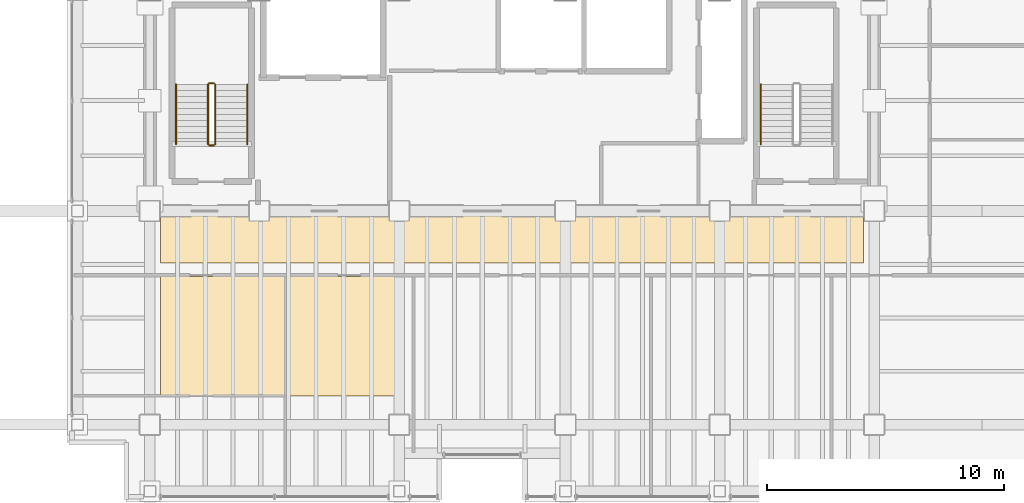
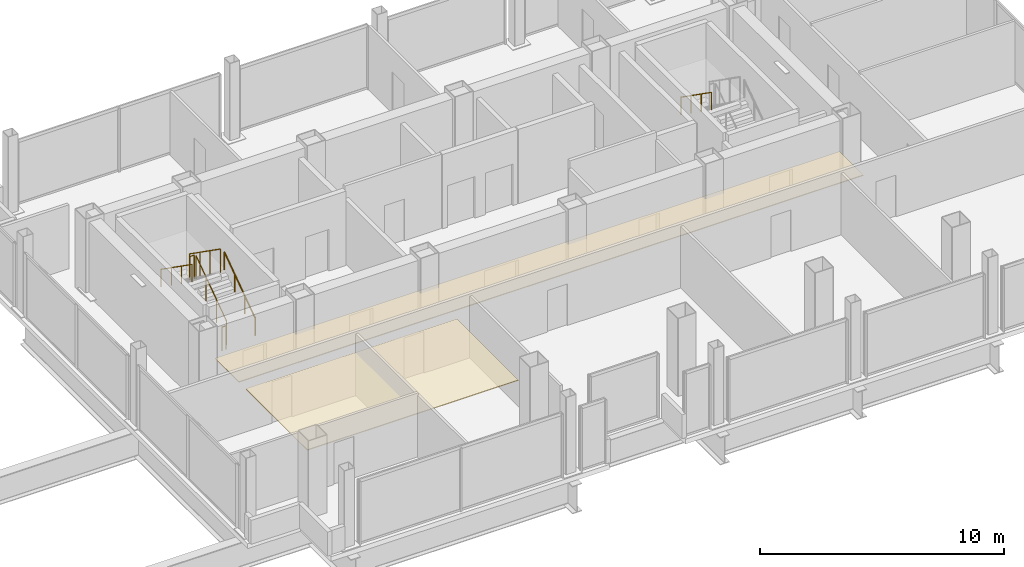
# One storey, part 18 of 19: 7 railings, 2 coverings.
"""IFC4 building model written with IfcOpenShell, lengths in metres."""

import ifcopenshell
import ifcopenshell.guid

model = None  # the IFC model being written
_history = None  # IfcOwnerHistory: only IFC2X3 demands one
_inside = {}  # id of a spatial element -> (the spatial element, [elements in it])
_under = {}  # id of a project, library or spatial element -> (it, [spatial elements below it])
_declared = {}  # id of a project -> (the project, [libraries it declares])
_typed = {}  # id of a type object -> (the type object, [elements of that type])
_made_of = {}  # id of a material, layer set ... -> (it, [elements and type objects made of it])


def new_model(schema):
    """Start an empty IFC model of exactly this schema.

    Asked for "IFC4X3", IfcOpenShell would pick the latest addendum, in which some entities
    have other attributes; the version numbers below select the first issue.
    IFC2X3 requires an IfcOwnerHistory on every rooted entity: one is made here for all.
    """
    global model, _history
    if schema == "IFC4X3":
        model = ifcopenshell.file(schema_version=(4, 3, 0, 0))
    else:
        model = ifcopenshell.file(schema=schema)
    _inside.clear()
    _under.clear()
    _declared.clear()
    _typed.clear()
    _made_of.clear()
    _history = None
    if model.schema == "IFC2X3":
        org = make("IfcOrganization", Name="unknown")
        user = make(
            "IfcPersonAndOrganization",
            ThePerson=make("IfcPerson", FamilyName="unknown"),
            TheOrganization=org,
        )
        app = make(
            "IfcApplication",
            ApplicationDeveloper=org,
            Version="unknown",
            ApplicationFullName="unknown",
            ApplicationIdentifier="unknown",
        )
        _history = make(
            "IfcOwnerHistory",
            OwningUser=user,
            OwningApplication=app,
            ChangeAction="ADDED",
            CreationDate=0,
        )
    return model


def make(cls, **values):
    """One entity of the class cls with the attributes given. An attribute that is None is left unset."""
    return model.create_entity(
        cls, **{name: value for name, value in values.items() if value is not None}
    )


def rooted(cls, **values):
    """An entity with a GlobalId (a new one), such as an element, a storey or a relation."""
    return make(cls, GlobalId=ifcopenshell.guid.new(), OwnerHistory=_history, **values)


def si_unit(unit_type, name, prefix=None):
    """IfcSIUnit, for example si_unit("LENGTHUNIT", "METRE", prefix="MILLI")."""
    return make("IfcSIUnit", UnitType=unit_type, Prefix=prefix, Name=name)


def assignment(units):
    """IfcUnitAssignment: the units of a project."""
    return None if units is None else make("IfcUnitAssignment", Units=units)


def point(xyz):
    """IfcCartesianPoint."""
    return None if xyz is None else make("IfcCartesianPoint", Coordinates=xyz)


def direction(xyz):
    """IfcDirection."""
    return None if xyz is None else make("IfcDirection", DirectionRatios=xyz)


def frame(location, z_axis=None, x_axis=None):
    """IfcAxis2Placement3D, a coordinate frame: its origin and axes. An axis left out is left unset."""
    return make(
        "IfcAxis2Placement3D",
        Location=point(location),
        Axis=direction(z_axis),
        RefDirection=direction(x_axis),
    )


def frame_2d(location, x_axis=None):
    """IfcAxis2Placement2D, a coordinate frame in the plane: its origin and x axis."""
    return make(
        "IfcAxis2Placement2D", Location=point(location), RefDirection=direction(x_axis)
    )


def origin():
    """The frame at (0, 0, 0) with its axes left unset."""
    return frame((0.0, 0.0, 0.0))


def origin_2d():
    """The frame at (0, 0) in the plane with its x axis left unset."""
    return frame_2d((0.0, 0.0))


def place(relative_to, where):
    """IfcLocalPlacement: puts the frame where relative to a parent placement (None: the world)."""
    return make(
        "IfcLocalPlacement", PlacementRelTo=relative_to, RelativePlacement=where
    )


def context(
    kind, dimensions, precision=None, world=None, true_north=None, identifier=None
):
    """IfcGeometricRepresentationContext, for example the 3D "Model" context."""
    return make(
        "IfcGeometricRepresentationContext",
        ContextIdentifier=identifier,
        ContextType=kind,
        CoordinateSpaceDimension=dimensions,
        Precision=precision,
        WorldCoordinateSystem=world,
        TrueNorth=true_north,
    )


def subcontext(parent, identifier, kind, view, scale=None):
    """IfcGeometricRepresentationSubContext, for example "Body" below "Model"."""
    return make(
        "IfcGeometricRepresentationSubContext",
        ContextIdentifier=identifier,
        ContextType=kind,
        ParentContext=parent,
        TargetScale=scale,
        TargetView=view,
    )


def project(units=None, contexts=None):
    """IfcProject with its units and contexts."""
    return rooted(
        "IfcProject",
        Name="project",
        RepresentationContexts=contexts,
        UnitsInContext=assignment(units),
    )


def spatial(cls, under=None, at=None, **own):
    """A site, building, storey or space (cls), placed at a placement, below another one or the project."""
    s = rooted(cls, ObjectPlacement=at, **own)
    if under is not None:
        _under.setdefault(under.id(), (under, []))[1].append(s)
    return s


def polyline(points):
    """IfcPolyline through the points."""
    return make("IfcPolyline", Points=[point(p) for p in points])


def profile(cls, at=None, kind="AREA", **sizes):
    """A parametric profile (cls). Its sizes go by their IFC names, for example OverallWidth=200.0."""
    return make(cls, ProfileType=kind, Position=at, **sizes)


def circle(**sizes):
    """IfcCircleProfileDef."""
    return profile("IfcCircleProfileDef", **sizes)


def outline(outer, holes=None, kind="AREA"):
    """IfcArbitraryClosedProfileDef: a profile drawn as a closed curve; with holes, ...WithVoids."""
    if holes is None:
        return make("IfcArbitraryClosedProfileDef", ProfileType=kind, OuterCurve=outer)
    return make(
        "IfcArbitraryProfileDefWithVoids",
        ProfileType=kind,
        OuterCurve=outer,
        InnerCurves=holes,
    )


def extrude(swept, where, along, depth):
    """IfcExtrudedAreaSolid: the profile swept, set in the frame where, extruded along a direction by depth."""
    return make(
        "IfcExtrudedAreaSolid",
        SweptArea=swept,
        Position=where,
        ExtrudedDirection=direction(along),
        Depth=depth,
    )


def shape(context_of_items, identifier, shape_type, items):
    """IfcShapeRepresentation: the items that make up one representation, for example the "Body"."""
    return make(
        "IfcShapeRepresentation",
        ContextOfItems=context_of_items,
        RepresentationIdentifier=identifier,
        RepresentationType=shape_type,
        Items=items,
    )


def material(Name=None, Category=None):
    """IfcMaterial."""
    return make("IfcMaterial", Name=Name, Category=Category)


def layer(
    of_material, thickness, ventilated=None, Name=None, Category=None, Priority=None
):
    """IfcMaterialLayer: one layer of a wall or slab, of a material (None: an air gap)."""
    return make(
        "IfcMaterialLayer",
        Material=of_material,
        LayerThickness=thickness,
        IsVentilated=ventilated,
        Name=Name,
        Category=Category,
        Priority=Priority,
    )


def layer_set(layers, Name=None):
    """IfcMaterialLayerSet."""
    return make("IfcMaterialLayerSet", MaterialLayers=layers, LayerSetName=Name)


def made_of(thing, what):
    """Note that an element or type object is made of a material, layer set ...; save() writes the relation."""
    if what is not None:
        _made_of.setdefault(what.id(), (what, []))[1].append(thing)
    return thing


def type_object(cls, material=None, **own):
    """A type object (cls), such as IfcWallType, which elements share."""
    return made_of(rooted(cls, **own), material)


def element(
    cls,
    number,
    at=None,
    inside=None,
    cuts=None,
    type_object=None,
    material=None,
    context=None,
    identifier="Body",
    shape_type=None,
    held_by="IfcProductDefinitionShape",
    body=None,
    shapes=None,
    **own,
):
    """One element of the class cls, such as IfcWall. Its Tag is "e" and its number.

    at: its placement. inside: the storey or other place that contains it. cuts: it is an
    opening in that element (IfcRelVoidsElement). A single representation is given by context,
    identifier, shape_type and body (its items); several are given by shapes. held_by: the class
    of the entity that holds the representations. save() writes the other relations.
    """
    e = rooted(cls, Tag="e%d" % number, ObjectPlacement=at, **own)
    if body is not None:
        shapes = [shape(context, identifier, shape_type, body)]
    if shapes is not None:
        e.Representation = make(held_by, Representations=shapes)
    if inside is not None:
        _inside.setdefault(inside.id(), (inside, []))[1].append(e)
    if cuts is not None:
        rooted(
            "IfcRelVoidsElement", RelatingBuildingElement=cuts, RelatedOpeningElement=e
        )
    if type_object is not None:
        _typed.setdefault(type_object.id(), (type_object, []))[1].append(e)
    return made_of(e, material)


def aggregate(whole, parts):
    """IfcRelAggregates: a whole, such as a stair, and the parts it consists of."""
    return rooted("IfcRelAggregates", RelatingObject=whole, RelatedObjects=parts)


def save(model, path):
    """Write the relations noted so far, then the file.

    IfcRelAggregates (storeys below a building ...), IfcRelContainedInSpatialStructure (elements
    in a storey), IfcRelDefinesByType, IfcRelAssociatesMaterial and IfcRelDeclares: one each for
    every whole, place, type object, material and project.
    """
    for whole, parts in _under.values():
        aggregate(whole, parts)
    for where, things in _inside.values():
        rooted(
            "IfcRelContainedInSpatialStructure",
            RelatedElements=things,
            RelatingStructure=where,
        )
    for kind, things in _typed.values():
        rooted("IfcRelDefinesByType", RelatedObjects=things, RelatingType=kind)
    for what, things in _made_of.values():
        rooted("IfcRelAssociatesMaterial", RelatedObjects=things, RelatingMaterial=what)
    for by, libraries in _declared.values():
        rooted("IfcRelDeclares", RelatingContext=by, RelatedDefinitions=libraries)
    model.write(path)


model = new_model("IFC4")

# Units and contexts
model_context = context("Model", 3, precision=1e-05, world=origin(), true_north=direction((0.0, 1.0)))
body_context = subcontext(model_context, "Body", "Model", "MODEL_VIEW")
ifc_project = project(units=[si_unit("LENGTHUNIT", "METRE"), si_unit("AREAUNIT", "SQUARE_METRE"), si_unit("VOLUMEUNIT", "CUBIC_METRE"), si_unit("PLANEANGLEUNIT", "RADIAN"), si_unit("MASSUNIT", "GRAM", prefix="KILO")], contexts=[model_context])

# Site, building, storey
site_placement = place(None, origin())
site = spatial("IfcSite", under=ifc_project, at=site_placement, CompositionType="ELEMENT")
building_placement = place(site_placement, origin())
building = spatial("IfcBuilding", under=site, at=building_placement, Name="Noeulbin Bourse Tower", CompositionType="ELEMENT")
storey_placement = place(building_placement, frame((0.0, 0.0, 169.5)))
storey = spatial("IfcBuildingStorey", under=building, at=storey_placement, Name="L42", CompositionType="ELEMENT", Elevation=169.5)

# Coverings
ifc_material_1 = material(Name="Perforated Mineral-Fibre Acoustic Tile")
ifc_layer_1 = layer(ifc_material_1, 0.0400390625)
ifc_layer_set_1 = layer_set([ifc_layer_1], Name="Perforated Mineral-Fibre Acoustic Tile")
covering_type = type_object("IfcCoveringType", Name="COV-CEIL-ACT", PredefinedType="CEILING", material=ifc_layer_set_1)
covering_1_placement = place(storey_placement, frame((0.0, 0.0, 2.110107421875)))
element("IfcCovering", 1, at=covering_1_placement, inside=storey, type_object=covering_type, Name="Corridor Suspended Ceiling L42", PredefinedType="CEILING", context=body_context, shape_type="SweptSolid", body=[
    extrude(outline(polyline([(13.949951171875, 26.820068359375), (43.550048828125, 26.820068359375), (43.550048828125, 28.780029296875), (13.949951171875, 28.780029296875), (13.949951171875, 26.820068359375)])), origin(), (0.0, 0.0, 1.0), 0.039794921875),
])
covering_2_placement = place(storey_placement, frame((0.0, 0.0, 2.110107421875)))
element("IfcCovering", 2, at=covering_2_placement, inside=storey, type_object=covering_type, Name="Trading Suite Acoustic Ceiling L42", PredefinedType="CEILING", context=body_context, shape_type="SweptSolid", body=[
    extrude(outline(polyline([(13.949951171875, 21.199951171875), (23.949951171875, 21.199951171875), (23.949951171875, 26.25), (13.949951171875, 26.25), (13.949951171875, 21.199951171875)])), origin(), (0.0, 0.0, 1.0), 0.039794921875),
])

# Railings
ifc_material_2 = material(Name="Painted Tubular Steel S355", Category="steel")
ifc_layer_2 = layer(ifc_material_2, 0.048095703125)
ifc_layer_set_2 = layer_set([ifc_layer_2], Name="Painted Tubular Steel S355")
railing_type_1 = type_object("IfcRailingType", Name="RLG-STR-GRD", PredefinedType="GUARDRAIL", material=ifc_layer_set_2)
railing_1_placement = place(storey_placement, frame((16.25, 31.81005859375, 0.17724609375)))
element("IfcRailing", 3, at=railing_1_placement, inside=storey, type_object=railing_type_1, Name="L42 ST-1 stair guard 1", PredefinedType="GUARDRAIL", context=body_context, shape_type="SweptSolid", body=[
    extrude(circle(Radius=0.02392578125, at=origin_2d()), frame((0.0, 0.0, 1.17578125), z_axis=(0.0, 0.817904474719, 0.575354039036), x_axis=(-1.0, 0.0, 0.0)), (0.0, 0.0, 1.0), 3.0810546875),
    extrude(circle(Radius=0.02099609375, at=origin_2d()), origin(), (0.0, 0.0, 1.0), 1.15185546875),
    extrude(circle(Radius=0.02099609375, at=origin_2d()), frame((0.0, 0.840087890625, 0.5908203125)), (0.0, 0.0, 1.0), 1.15185546875),
    extrude(circle(Radius=0.02099609375, at=origin_2d()), frame((0.0, 1.679931640625, 1.181884765625)), (0.0, 0.0, 1.0), 1.15185546875),
    extrude(circle(Radius=0.02099609375, at=origin_2d()), frame((0.0, 2.52001953125, 1.772705078125)), (0.0, 0.0, 1.0), 1.15185546875),
])
railing_2_placement = place(storey_placement, frame((16.199951171875, 34.3798828125, 1.949951171875)))
element("IfcRailing", 4, at=railing_2_placement, inside=storey, type_object=railing_type_1, Name="L42 ST-1 stair guard 2", PredefinedType="GUARDRAIL", context=body_context, shape_type="SweptSolid", body=[
    extrude(circle(Radius=0.02392578125, at=origin_2d()), frame((0.0, 0.0, 1.17578125), z_axis=(-1.0, 0.0, 0.0), x_axis=(0.0, -1.0, 0.0)), (0.0, 0.0, 1.0), 0.199951171875),
    extrude(circle(Radius=0.02099609375, at=origin_2d()), origin(), (0.0, 0.0, 1.0), 1.15185546875),
    extrude(circle(Radius=0.02099609375, at=origin_2d()), frame((-0.199951171875, 0.0, 0.0)), (0.0, 0.0, 1.0), 1.15185546875),
])
railing_3_placement = place(storey_placement, frame((15.949951171875, 34.330078125, 2.127197265625)))
element("IfcRailing", 5, at=railing_3_placement, inside=storey, type_object=railing_type_1, Name="L42 ST-1 stair guard 3", PredefinedType="GUARDRAIL", context=body_context, shape_type="SweptSolid", body=[
    extrude(circle(Radius=0.02392578125, at=origin_2d()), frame((0.0, 0.0, 1.17578125), z_axis=(0.0, -0.817904474719, 0.575354039036), x_axis=(1.0, 0.0, 0.0)), (0.0, 0.0, 1.0), 3.0810546875),
    extrude(circle(Radius=0.02099609375, at=origin_2d()), origin(), (0.0, 0.0, 1.0), 1.15185546875),
    extrude(circle(Radius=0.02099609375, at=origin_2d()), frame((0.0, -0.840087890625, 0.5908203125)), (0.0, 0.0, 1.0), 1.15185546875),
    extrude(circle(Radius=0.02099609375, at=origin_2d()), frame((0.0, -1.679931640625, 1.181884765625)), (0.0, 0.0, 1.0), 1.15185546875),
    extrude(circle(Radius=0.02099609375, at=origin_2d()), frame((0.0, -2.52001953125, 1.772705078125)), (0.0, 0.0, 1.0), 1.15185546875),
])
railing_4_placement = place(storey_placement, frame((16.199951171875, 31.760009765625, 0.0)))
element("IfcRailing", 6, at=railing_4_placement, inside=storey, type_object=railing_type_1, Name="L42 ST-1 stair guard 4", PredefinedType="GUARDRAIL", context=body_context, shape_type="SweptSolid", body=[
    extrude(circle(Radius=0.02392578125, at=origin_2d()), frame((0.0, 0.0, 1.17578125), z_axis=(-1.0, 0.0, 0.0), x_axis=(0.0, -1.0, 0.0)), (0.0, 0.0, 1.0), 0.199951171875),
    extrude(circle(Radius=0.02099609375, at=origin_2d()), origin(), (0.0, 0.0, 1.0), 1.15185546875),
    extrude(circle(Radius=0.02099609375, at=origin_2d()), frame((-0.199951171875, 0.0, 0.0)), (0.0, 0.0, 1.0), 1.15185546875),
])
ifc_material_3 = material(Name="Brushed Stainless Steel 316", Category="steel")
ifc_layer_3 = layer(ifc_material_3, 0.048095703125)
ifc_layer_set_3 = layer_set([ifc_layer_3], Name="Brushed Stainless Steel 316")
railing_type_2 = type_object("IfcRailingType", Name="RLG-STR-HND", PredefinedType="HANDRAIL", material=ifc_layer_set_3)
railing_5_placement = place(storey_placement, frame((17.60009765625, 31.81005859375, 0.17724609375)))
element("IfcRailing", 7, at=railing_5_placement, inside=storey, type_object=railing_type_2, Name="L42 ST-1 stair handrail 1", PredefinedType="HANDRAIL", context=body_context, shape_type="SweptSolid", body=[
    extrude(circle(Radius=0.02392578125, at=origin_2d()), frame((0.0, 0.0, 0.8759765625), z_axis=(0.0, 0.817904474719, 0.575354039036), x_axis=(-1.0, 0.0, 0.0)), (0.0, 0.0, 1.0), 3.0810546875),
    extrude(circle(Radius=0.02099609375, at=origin_2d()), origin(), (0.0, 0.0, 1.0), 0.851806640625),
    extrude(circle(Radius=0.02099609375, at=origin_2d()), frame((0.0, 0.840087890625, 0.5908203125)), (0.0, 0.0, 1.0), 0.851806640625),
    extrude(circle(Radius=0.02099609375, at=origin_2d()), frame((0.0, 1.679931640625, 1.181884765625)), (0.0, 0.0, 1.0), 0.851806640625),
    extrude(circle(Radius=0.02099609375, at=origin_2d()), frame((0.0, 2.52001953125, 1.772705078125)), (0.0, 0.0, 1.0), 0.851806640625),
])
for number, where, name in (
    (8, (14.60009765625, 34.330078125, 2.127197265625), "L42 ST-1 stair handrail 2"),
    (9, (39.22998046875, 34.330078125, 2.127197265625), "L42 ST-2 stair handrail 2"),
):
    element("IfcRailing", number, at=place(storey_placement, frame(where)), inside=storey, type_object=railing_type_2, Name=name, PredefinedType="HANDRAIL", context=body_context, shape_type="SweptSolid", body=[
        extrude(circle(Radius=0.02392578125, at=origin_2d()), frame((0.0, 0.0, 0.8759765625), z_axis=(0.0, -0.817904474719, 0.575354039036), x_axis=(1.0, 0.0, 0.0)), (0.0, 0.0, 1.0), 3.0810546875),
        extrude(circle(Radius=0.02099609375, at=origin_2d()), origin(), (0.0, 0.0, 1.0), 0.851806640625),
        extrude(circle(Radius=0.02099609375, at=origin_2d()), frame((0.0, -0.840087890625, 0.5908203125)), (0.0, 0.0, 1.0), 0.851806640625),
        extrude(circle(Radius=0.02099609375, at=origin_2d()), frame((0.0, -1.679931640625, 1.181884765625)), (0.0, 0.0, 1.0), 0.851806640625),
        extrude(circle(Radius=0.02099609375, at=origin_2d()), frame((0.0, -2.52001953125, 1.772705078125)), (0.0, 0.0, 1.0), 0.851806640625),
    ])

save(model, "model.ifc")
